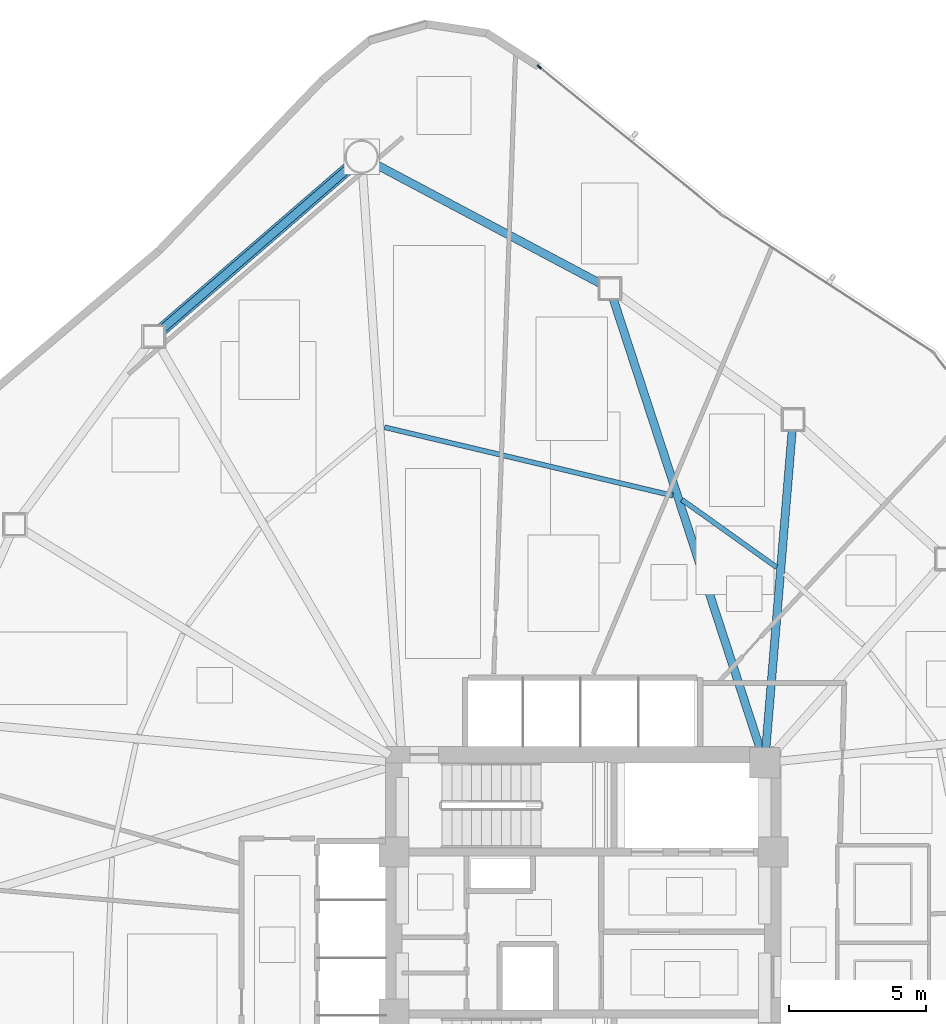
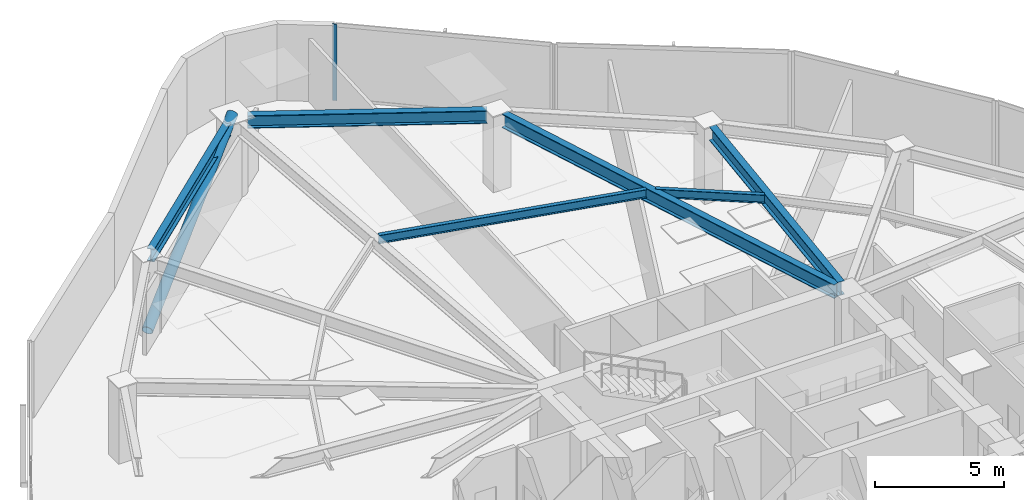
# One storey, part 8 of 17: 6 beams, 2 members, 1 element without a shape of its own.
"""IFC4 building model written with IfcOpenShell, lengths in metres."""

from ifc_helpers import new_model, si_unit, direction, frame, origin, origin_2d, place, context, subcontext, project, spatial, hollow_rectangle, hollow_circle, i_section, extrude, source, transform, mapped, material, layer, layer_set, material_profile, profile_set, type_object, type_shapes, element, aggregate, save


model = new_model("IFC4")

# Units and contexts
model_context = context("Model", 3, precision=1e-05, world=origin(), true_north=direction((0.0, 1.0)))
body_context = subcontext(model_context, "Body", "Model", "MODEL_VIEW")
ifc_project = project(units=[si_unit("LENGTHUNIT", "METRE"), si_unit("AREAUNIT", "SQUARE_METRE"), si_unit("VOLUMEUNIT", "CUBIC_METRE"), si_unit("PLANEANGLEUNIT", "RADIAN"), si_unit("MASSUNIT", "GRAM", prefix="KILO")], contexts=[model_context])

# Site, building, storey
site_placement = place(None, origin())
site = spatial("IfcSite", under=ifc_project, at=site_placement, CompositionType="ELEMENT")
building_placement = place(site_placement, origin())
building = spatial("IfcBuilding", under=site, at=building_placement, Name="Tavelor Broadcast Tower", CompositionType="ELEMENT")
storey_placement = place(building_placement, frame((0.0, 0.0, 39.300048828125)))
storey = spatial("IfcBuildingStorey", under=building, at=storey_placement, Name="L08", CompositionType="ELEMENT", Elevation=39.300048828125)

# Beams
ifc_material_1 = material(Name="Steel S355", Category="steel")
ifc_material_profile_1 = material_profile(ifc_material_1, i_section(OverallWidth=0.179931640625, OverallDepth=0.39990234375, WebThickness=0.008544921875, FlangeThickness=0.013427734375, at=origin_2d()), Name="IPE 400")
ifc_profile_set_1 = profile_set([ifc_material_profile_1], Name="Steel S355")
beam_type_1 = type_object("IfcBeamType", Name="Composite Floor Joist T1 IPE 400", PredefinedType="JOIST", material=ifc_profile_set_1)
beam_1_placement = place(storey_placement, frame((57.03369140625, 58.321044921875, 3.39990234375), z_axis=(-0.814052615916, 0.580791131579, 0.0), x_axis=(-0.580791131579, -0.814052615916, 0.0)))
element("IfcBeam", 1, at=beam_1_placement, inside=storey, type_object=beam_type_1, Name="L08 Secondary Composite Floor Joist 17", PredefinedType="JOIST", context=body_context, shape_type="SweptSolid", body=[
    extrude(i_section(OverallWidth=0.179931640625, OverallDepth=0.39990234375, WebThickness=0.008544921875, FlangeThickness=0.013427734375, at=origin_2d()), origin(), (0.0, 0.0, 1.0), 4.23681640625),
])
beam_2_placement = place(storey_placement, frame((53.260986328125, 60.9287109375, 3.39990234375), z_axis=(-0.973012053378, 0.230754293526, 0.0), x_axis=(-0.230754293526, -0.973012053378, 0.0)))
element("IfcBeam", 2, at=beam_2_placement, inside=storey, type_object=beam_type_1, Name="L08 Secondary Composite Floor Joist 18", PredefinedType="JOIST", context=body_context, shape_type="SweptSolid", body=[
    extrude(i_section(OverallWidth=0.179931640625, OverallDepth=0.39990234375, WebThickness=0.008544921875, FlangeThickness=0.013427734375, at=origin_2d()), origin(), (0.0, 0.0, 1.0), 10.797119140625),
])
ifc_material_profile_2 = material_profile(ifc_material_1, i_section(OverallWidth=0.300048828125, OverallDepth=0.60009765625, WebThickness=0.015380859375, FlangeThickness=0.030029296875, at=origin_2d()), Name="HEB 600")
ifc_profile_set_2 = profile_set([ifc_material_profile_2], Name="Steel S355")
beam_type_2 = type_object("IfcBeamType", Name="Perimeter Spandrel Beam T1 HEB 600", PredefinedType="SPANDREL", material=ifc_profile_set_2)
beam_3_placement = place(storey_placement, frame((41.48046875, 72.8837890625, 3.300048828125), z_axis=(-0.756663126242, -0.653804950566, 0.0), x_axis=(0.653804950566, -0.756663126242, 0.0)))
element("IfcBeam", 3, at=beam_3_placement, inside=storey, type_object=beam_type_2, Name="L08 Framed-Tube Ring Spandrel 01", PredefinedType="SPANDREL", context=body_context, shape_type="SweptSolid", body=[
    extrude(i_section(OverallWidth=0.300048828125, OverallDepth=0.60009765625, WebThickness=0.015380859375, FlangeThickness=0.030029296875, at=origin_2d()), origin(), (0.0, 0.0, 1.0), 9.031494140625),
])
beam_4_placement = place(storey_placement, frame((50.62255859375, 68.648681640625, 3.300048828125), z_axis=(-0.883283542259, 0.468839187755, 0.0), x_axis=(-0.468839187755, -0.883283542259, 0.0)))
element("IfcBeam", 4, at=beam_4_placement, inside=storey, type_object=beam_type_2, Name="L08 Framed-Tube Ring Spandrel 18", PredefinedType="SPANDREL", context=body_context, shape_type="SweptSolid", body=[
    extrude(i_section(OverallWidth=0.300048828125, OverallDepth=0.60009765625, WebThickness=0.015380859375, FlangeThickness=0.030029296875, at=origin_2d()), origin(), (0.0, 0.0, 1.0), 9.263916015625),
])

# Member
ifc_material_profile_3 = material_profile(ifc_material_1, hollow_circle(Radius=0.228515625, WallThickness=0.02001953125, at=origin_2d()), Name="CHS 457x20")
ifc_profile_set_3 = profile_set([ifc_material_profile_3], Name="Steel S355")
member_type_1 = type_object("IfcMemberType", Name="Perimeter Tube Brace T1 CHS 457x20", PredefinedType="BRACE", material=ifc_profile_set_3)
member_1_placement = place(storey_placement, frame((34.356201171875, 66.727783203125, 0.0), z_axis=(0.711928728007, 0.615179557123, 0.338691007758), x_axis=(-0.653821967179, 0.756648422475, 0.0)))
element("IfcMember", 5, at=member_1_placement, inside=storey, type_object=member_type_1, Name="L08 Corner Tube Diagonal Brace 1", PredefinedType="BRACE", context=body_context, shape_type="SweptSolid", body=[
    extrude(hollow_circle(Radius=0.228515625, WallThickness=0.02001953125, at=origin_2d()), origin(), (0.0, 0.0, 1.0), 10.628662109375),
])

# Beams
ifc_material_profile_4 = material_profile(ifc_material_1, i_section(OverallWidth=0.300048828125, OverallDepth=0.64990234375, WebThickness=0.01611328125, FlangeThickness=0.031005859375, at=origin_2d()), Name="HEB 650")
ifc_profile_set_4 = profile_set([ifc_material_profile_4], Name="Steel S355")
beam_type_3 = type_object("IfcBeamType", Name="Radial Floor Girder T1 HEB 650", PredefinedType="BEAM", material=ifc_profile_set_4)
beam_5_placement = place(storey_placement, frame((56.6435546875, 51.726318359375, 3.27490234375), z_axis=(0.08251031281, 0.996590210809, 0.0), x_axis=(-0.996590210809, 0.08251031281, 0.0)))
element("IfcBeam", 6, at=beam_5_placement, inside=storey, type_object=beam_type_3, Name="L08 Radial Primary Floor Girder 17", PredefinedType="BEAM", context=body_context, shape_type="SweptSolid", body=[
    extrude(i_section(OverallWidth=0.300048828125, OverallDepth=0.64990234375, WebThickness=0.01611328125, FlangeThickness=0.031005859375, at=origin_2d()), origin(), (0.0, 0.0, 1.0), 11.62841796875),
])
beam_6_placement = place(storey_placement, frame((56.43603515625, 51.701904296875, 3.27490234375), z_axis=(-0.310367857535, 0.950616533103, 0.0), x_axis=(-0.950616533103, -0.310367857535, 0.0)))
element("IfcBeam", 7, at=beam_6_placement, inside=storey, type_object=beam_type_3, Name="L08 Radial Primary Floor Girder 18", PredefinedType="BEAM", context=body_context, shape_type="SweptSolid", body=[
    extrude(i_section(OverallWidth=0.300048828125, OverallDepth=0.64990234375, WebThickness=0.01611328125, FlangeThickness=0.031005859375, at=origin_2d()), origin(), (0.0, 0.0, 1.0), 17.253662109375),
])

# Curtain wall, member
ifc_material_2 = material(Name="Architectural Anodized Aluminium", Category="aluminium")
ifc_layer = layer(ifc_material_2, 0.179931640625)
ifc_layer_set = layer_set([ifc_layer], Name="Architectural Anodized Aluminium")
curtain_wall_type = type_object("IfcCurtainWallType", Name="Tower Low-Zone Unitised Curtain Wall CW02", PredefinedType="NOTDEFINED", material=ifc_layer_set)
curtain_wall_placement = place(storey_placement, origin())
curtain_wall = element("IfcCurtainWall", 8, at=curtain_wall_placement, inside=storey, type_object=curtain_wall_type, Name="L08 Curtain Wall CW02 Run 60", PredefinedType="NOTDEFINED")
ifc_material_profile_5 = material_profile(ifc_material_2, hollow_rectangle(XDim=0.06494140625, YDim=0.179931640625, WallThickness=0.02197265625, at=origin_2d()), Name="RHS 65x180x22")
ifc_profile_set_5 = profile_set([ifc_material_profile_5], Name="Architectural Anodized Aluminium")
member_type_2 = type_object("IfcMemberType", Name="CW02 Extruded Aluminium Mullion 65x180", PredefinedType="MULLION", material=ifc_profile_set_5)
shared_shape = source(origin(), body_context, "Body", "SweptSolid", [
    extrude(hollow_rectangle(XDim=0.06494140625, YDim=0.179931640625, WallThickness=0.02197265625, at=origin_2d()), origin(), (0.0, 0.0, 1.0), 3.599853515625),
])
type_shapes(member_type_2, [shared_shape])
member_2_placement = place(storey_placement, frame((48.384765625, 76.541748046875, 0.0), z_axis=(0.0, 0.0, 1.0), x_axis=(-0.629631012574, -0.776894322289, 0.0)))
member_2 = element("IfcMember", 9, at=member_2_placement, type_object=member_type_2, Name="CW02 mullion 2", PredefinedType="MULLION", context=body_context, shape_type="MappedRepresentation", body=[
    mapped(shared_shape, transform((0.0, 0.0, 0.0), scale=1.0)),
])
aggregate(curtain_wall, [member_2])

save(model, "model.ifc")
